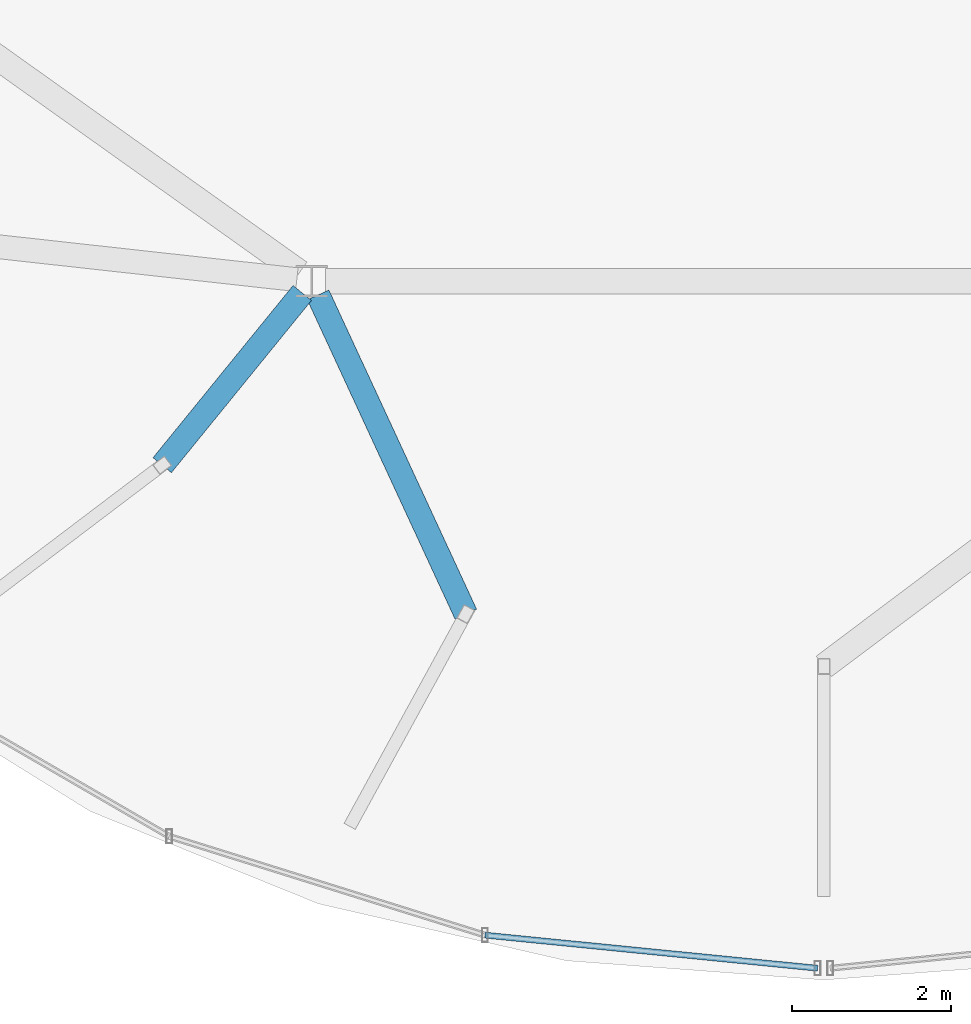
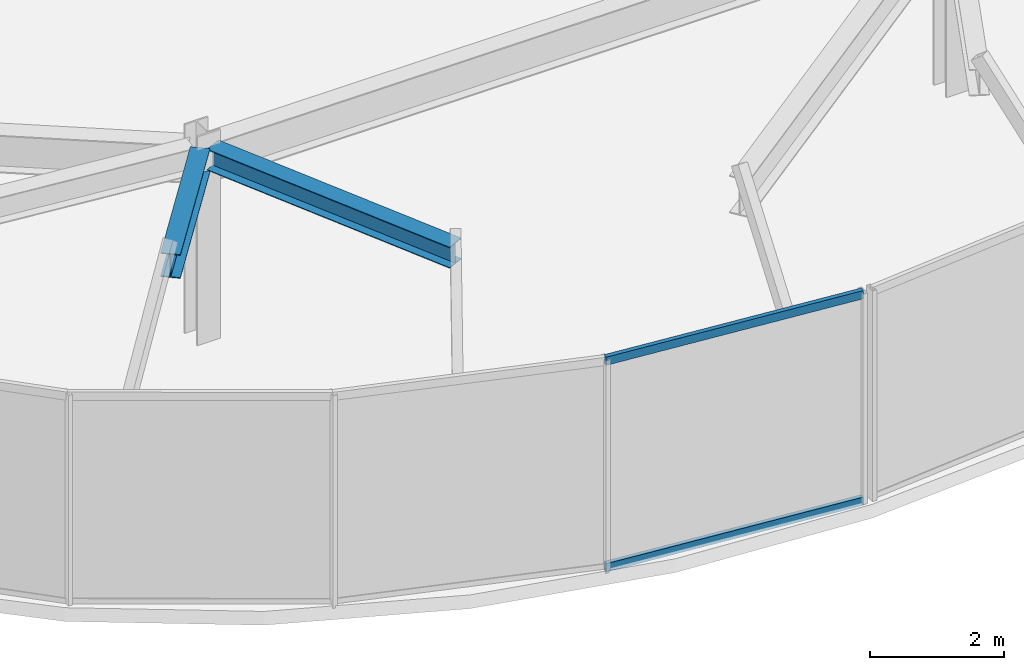
# One storey, part 3 of 13: 2 beams, 2 members, 1 element without a shape of its own.
"""IFC4 building model written with IfcOpenShell, lengths in metres."""

from ifc_helpers import new_model, si_unit, direction, frame, origin, origin_2d, place, context, subcontext, project, spatial, hollow_rectangle, i_section, extrude, material, material_profile, profile_set, type_object, element, aggregate, save


model = new_model("IFC4")

# Units and contexts
model_context = context("Model", 3, precision=1e-05, world=origin(), true_north=direction((0.0, 1.0)))
body_context = subcontext(model_context, "Body", "Model", "MODEL_VIEW")
ifc_project = project(units=[si_unit("LENGTHUNIT", "METRE"), si_unit("AREAUNIT", "SQUARE_METRE"), si_unit("VOLUMEUNIT", "CUBIC_METRE"), si_unit("PLANEANGLEUNIT", "RADIAN"), si_unit("MASSUNIT", "GRAM", prefix="KILO")], contexts=[model_context])

# Site, building, storey
site_placement = place(None, origin())
site = spatial("IfcSite", under=ifc_project, at=site_placement, CompositionType="ELEMENT")
building_placement = place(site_placement, origin())
building = spatial("IfcBuilding", under=site, at=building_placement, Name="Vorneva Point Tower", CompositionType="ELEMENT")
storey_placement = place(building_placement, frame((0.0, 0.0, 303.0)))
storey = spatial("IfcBuildingStorey", under=building, at=storey_placement, Name="C03", CompositionType="ELEMENT", Elevation=303.0)

# Beams
ifc_material_1 = material(Name="Steel S355", Category="steel")
ifc_material_profile_1 = material_profile(ifc_material_1, i_section(OverallWidth=0.299072265625, OverallDepth=0.383056640625, WebThickness=0.009521484375, FlangeThickness=0.012451171875, at=origin_2d()), Name="40Sh1")
ifc_profile_set_1 = profile_set([ifc_material_profile_1], Name="Steel S355")
beam_type_1 = type_object("IfcBeamType", Name="BM-GRD-40Sh1", PredefinedType="USERDEFINED", material=ifc_profile_set_1)
beam_1_placement = place(storey_placement, frame((33.48974609375, 18.00830078125, 3.3583984375), z_axis=(-0.419952903924, 0.907545898832, 0.0), x_axis=(-0.907545898832, -0.419952903924, 0.0)))
element("IfcBeam", 1, at=beam_1_placement, inside=storey, type_object=beam_type_1, Name="C03 Radial Primary Girder 12", ObjectType="GIRDER", PredefinedType="USERDEFINED", context=body_context, shape_type="SweptSolid", body=[
    extrude(i_section(OverallWidth=0.299072265625, OverallDepth=0.383056640625, WebThickness=0.009521484375, FlangeThickness=0.012451171875, at=origin_2d()), origin(), (0.0, 0.0, 1.0), 4.4287109375),
])
ifc_material_profile_2 = material_profile(ifc_material_1, i_section(OverallWidth=0.299072265625, OverallDepth=0.43505859375, WebThickness=0.010498046875, FlangeThickness=0.014892578125, at=origin_2d()), Name="45Sh1")
ifc_profile_set_2 = profile_set([ifc_material_profile_2], Name="Steel S355")
beam_type_2 = type_object("IfcBeamType", Name="BM-GRD-45Sh1", PredefinedType="USERDEFINED", material=ifc_profile_set_2)
beam_2_placement = place(storey_placement, frame((29.666015625, 19.883544921875, 3.33251953125), z_axis=(0.631000185127, 0.77578267986, 0.0), x_axis=(-0.77578267986, 0.631000185127, 0.0)))
element("IfcBeam", 2, at=beam_2_placement, inside=storey, type_object=beam_type_2, Name="C03 Radial Primary Girder 11", ObjectType="GIRDER", PredefinedType="USERDEFINED", context=body_context, shape_type="SweptSolid", body=[
    extrude(i_section(OverallWidth=0.299072265625, OverallDepth=0.43505859375, WebThickness=0.010498046875, FlangeThickness=0.014892578125, at=origin_2d()), origin(), (0.0, 0.0, 1.0), 2.7958984375),
])

# Curtain wall, members
ifc_material_2 = material(Name="Pale anodised aluminium", Category="aluminium")
curtain_wall_type = type_object("IfcCurtainWallType", Name="CW-CRN-SYS", PredefinedType="NOTDEFINED", material=ifc_material_2)
curtain_wall_placement = place(storey_placement, origin())
curtain_wall = element("IfcCurtainWall", 3, at=curtain_wall_placement, inside=storey, type_object=curtain_wall_type, Name="C03 Unitised Curtain Wall CW-C03-Q3", PredefinedType="NOTDEFINED")
ifc_material_profile_3 = material_profile(ifc_material_2, hollow_rectangle(XDim=0.074951171875, YDim=0.14990234375, WallThickness=0.00390625, at=origin_2d()), Name="AL-TRN 150x75x4")
ifc_profile_set_3 = profile_set([ifc_material_profile_3], Name="Pale anodised aluminium")
member_type = type_object("IfcMemberType", Name="CW-TRN-150", PredefinedType="USERDEFINED", material=ifc_profile_set_3)
member_1_placement = place(storey_placement, frame((33.731689453125, 13.964599609375, 0.02001953125), z_axis=(0.995087024234, -0.099004112046, 0.0), x_axis=(0.099004112046, 0.995087024234, 0.0)))
member_1 = element("IfcMember", 4, at=member_1_placement, type_object=member_type, Name="CW-C03-Q3 Transom 06.1", ObjectType="TRANSOM", PredefinedType="USERDEFINED", context=body_context, shape_type="SweptSolid", body=[
    extrude(hollow_rectangle(XDim=0.074951171875, YDim=0.14990234375, WallThickness=0.00390625, at=origin_2d()), origin(), (0.0, 0.0, 1.0), 4.20947265625),
])
member_2_placement = place(storey_placement, frame((33.731689453125, 13.964599609375, 3.780029296875), z_axis=(0.995087024234, -0.099004112046, 0.0), x_axis=(0.099004112046, 0.995087024234, 0.0)))
member_2 = element("IfcMember", 5, at=member_2_placement, type_object=member_type, Name="CW-C03-Q3 Transom 06.2", ObjectType="TRANSOM", PredefinedType="USERDEFINED", context=body_context, shape_type="SweptSolid", body=[
    extrude(hollow_rectangle(XDim=0.074951171875, YDim=0.14990234375, WallThickness=0.00390625, at=origin_2d()), origin(), (0.0, 0.0, 1.0), 4.20947265625),
])
aggregate(curtain_wall, [member_1, member_2])

save(model, "model.ifc")
